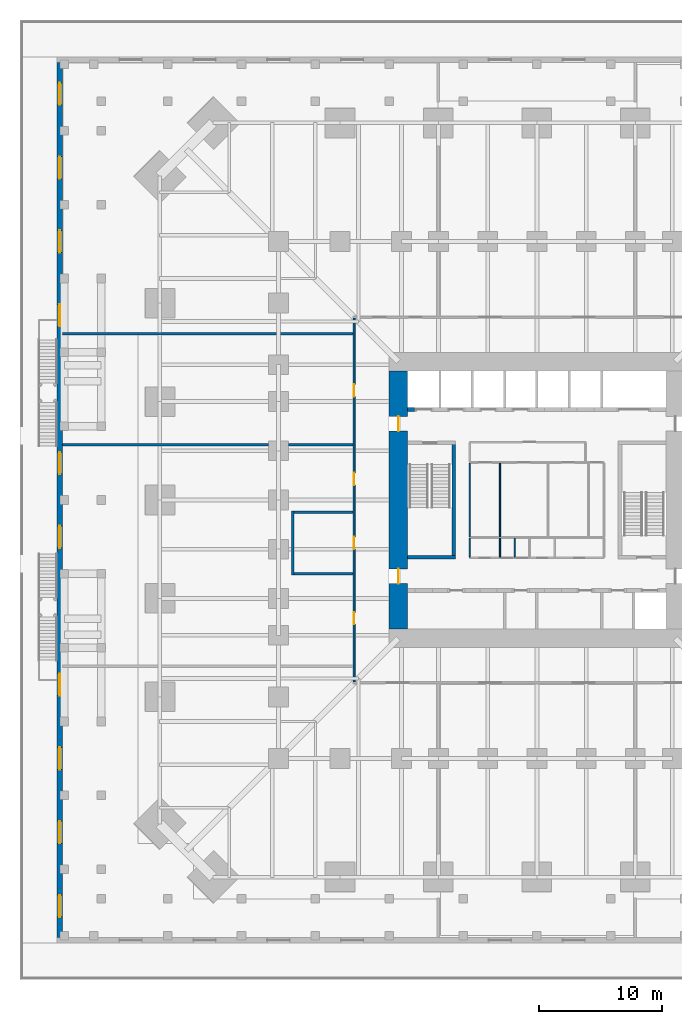
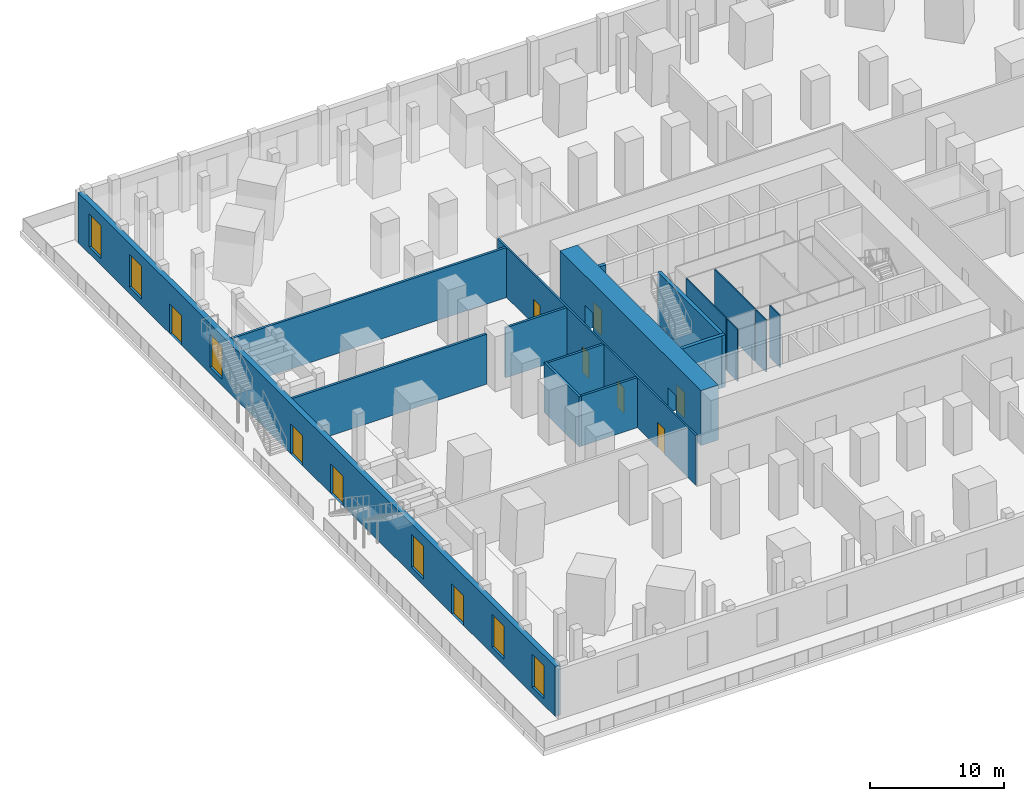
# One storey, part 12 of 22: 17 walls, 10 doors, 6 windows, 16 openings.
"""IFC4 building model written with IfcOpenShell, lengths in metres."""

from ifc_helpers import new_model, si_unit, direction, frame, frame_2d, origin, place, context, subcontext, project, spatial, rectangle, extrude, material, layer, layer_set, type_object, element, fill, save


model = new_model("IFC4")

# Units and contexts
model_context = context("Model", 3, precision=1e-05, world=origin(), true_north=direction((0.0, 1.0)))
body_context = subcontext(model_context, "Body", "Model", "MODEL_VIEW")
ifc_project = project(units=[si_unit("LENGTHUNIT", "METRE"), si_unit("AREAUNIT", "SQUARE_METRE"), si_unit("VOLUMEUNIT", "CUBIC_METRE"), si_unit("PLANEANGLEUNIT", "RADIAN"), si_unit("MASSUNIT", "GRAM", prefix="KILO")], contexts=[model_context])

# Site, building, storey
site_placement = place(None, origin())
site = spatial("IfcSite", under=ifc_project, at=site_placement, CompositionType="ELEMENT")
building_placement = place(site_placement, origin())
building = spatial("IfcBuilding", under=site, at=building_placement, Name="Peilmerk Tower", CompositionType="ELEMENT")
storey_placement = place(building_placement, frame((0.0, 0.0, 6.0)))
storey = spatial("IfcBuildingStorey", under=building, at=storey_placement, Name="L01", CompositionType="ELEMENT", Elevation=6.0)

# Wall, openings, doors, windows
ifc_material_1 = material(Name="Precast concrete C45/55, board-marked finish", Category="concrete")
ifc_layer_1 = layer(ifc_material_1, 0.449951171875)
ifc_layer_set_1 = layer_set([ifc_layer_1], Name="Precast concrete C45/55, board-marked finish")
wall_type_1 = type_object("IfcWallType", Name="EW1 450 precast concrete facade wall, board-marked", PredefinedType="SOLIDWALL", material=ifc_layer_set_1)
wall_1_placement = place(storey_placement, frame((-38.77490234375, -35.550048828125, 0.0), z_axis=(0.0, 0.0, 1.0), x_axis=(0.0, 1.0, 0.0)))
wall_1 = element("IfcWall", 1, at=wall_1_placement, inside=storey, type_object=wall_type_1, Name="Facade wall W L01", PredefinedType="SOLIDWALL", context=body_context, shape_type="SweptSolid", body=[
    extrude(rectangle(XDim=71.10009765625, YDim=0.449951171875, at=frame_2d((35.550048828125, 0.0))), origin(), (0.0, 0.0, 1.0), 4.550048828125),
])
opening_1_placement = place(wall_1_placement, frame((1.64990234375, 0.0, 0.60009765625)))
opening_1 = element("IfcOpeningElement", 2, at=opening_1_placement, cuts=wall_1, Name="Opening W7", PredefinedType="OPENING", context=body_context, shape_type="SweptSolid", body=[
    extrude(rectangle(XDim=1.800048828125, YDim=3.0, at=frame_2d((0.89990234375, 1.5))), frame((0.0, 0.23486328125, 0.0), z_axis=(0.0, -1.0, 0.0), x_axis=(1.0, 0.0, 0.0)), (0.0, 0.0, 1.0), 0.469970703125),
])
opening_2_placement = place(wall_1_placement, frame((7.64990234375, 0.0, 0.60009765625)))
opening_2 = element("IfcOpeningElement", 3, at=opening_2_placement, cuts=wall_1, Name="Opening W7", PredefinedType="OPENING", context=body_context, shape_type="SweptSolid", body=[
    extrude(rectangle(XDim=1.800048828125, YDim=3.0, at=frame_2d((0.89990234375, 1.5))), frame((0.0, 0.23486328125, 0.0), z_axis=(0.0, -1.0, 0.0), x_axis=(1.0, 0.0, 0.0)), (0.0, 0.0, 1.0), 0.469970703125),
])
opening_3_placement = place(wall_1_placement, frame((19.64990234375, 0.0, 0.60009765625)))
opening_3 = element("IfcOpeningElement", 4, at=opening_3_placement, cuts=wall_1, Name="Opening W7", PredefinedType="OPENING", context=body_context, shape_type="SweptSolid", body=[
    extrude(rectangle(XDim=1.800048828125, YDim=3.0, at=frame_2d((0.89990234375, 1.5))), frame((0.0, 0.23486328125, 0.0), z_axis=(0.0, -1.0, 0.0), x_axis=(1.0, 0.0, 0.0)), (0.0, 0.0, 1.0), 0.469970703125),
])
opening_4_placement = place(wall_1_placement, frame((49.64990234375, 0.0, 0.60009765625)))
opening_4 = element("IfcOpeningElement", 5, at=opening_4_placement, cuts=wall_1, Name="Opening W7", PredefinedType="OPENING", context=body_context, shape_type="SweptSolid", body=[
    extrude(rectangle(XDim=1.800048828125, YDim=3.0, at=frame_2d((0.89990234375, 1.5))), frame((0.0, 0.23486328125, 0.0), z_axis=(0.0, -1.0, 0.0), x_axis=(1.0, 0.0, 0.0)), (0.0, 0.0, 1.0), 0.469970703125),
])
opening_5_placement = place(wall_1_placement, frame((61.64990234375, 0.0, 0.60009765625)))
opening_5 = element("IfcOpeningElement", 6, at=opening_5_placement, cuts=wall_1, Name="Opening W7", PredefinedType="OPENING", context=body_context, shape_type="SweptSolid", body=[
    extrude(rectangle(XDim=1.800048828125, YDim=3.0, at=frame_2d((0.89990234375, 1.5))), frame((0.0, 0.23486328125, 0.0), z_axis=(0.0, -1.0, 0.0), x_axis=(1.0, 0.0, 0.0)), (0.0, 0.0, 1.0), 0.469970703125),
])
opening_6_placement = place(wall_1_placement, frame((67.64990234375, 0.0, 0.60009765625)))
opening_6 = element("IfcOpeningElement", 7, at=opening_6_placement, cuts=wall_1, Name="Opening W7", PredefinedType="OPENING", context=body_context, shape_type="SweptSolid", body=[
    extrude(rectangle(XDim=1.800048828125, YDim=3.0, at=frame_2d((0.89990234375, 1.5))), frame((0.0, 0.23486328125, 0.0), z_axis=(0.0, -1.0, 0.0), x_axis=(1.0, 0.0, 0.0)), (0.0, 0.0, 1.0), 0.469970703125),
])
opening_7_placement = place(wall_1_placement, frame((13.64990234375, 0.0, 0.0)))
opening_7 = element("IfcOpeningElement", 8, at=opening_7_placement, cuts=wall_1, Name="Opening ED4", PredefinedType="OPENING", context=body_context, shape_type="SweptSolid", body=[
    extrude(rectangle(XDim=1.800048828125, YDim=2.699951171875, at=frame_2d((0.89990234375, 1.35009765625))), frame((0.0, 0.23486328125, 0.0), z_axis=(0.0, -1.0, 0.0), x_axis=(1.0, 0.0, 0.0)), (0.0, 0.0, 1.0), 0.469970703125),
])
opening_8_placement = place(wall_1_placement, frame((31.64990234375, 0.0, 0.0)))
opening_8 = element("IfcOpeningElement", 9, at=opening_8_placement, cuts=wall_1, Name="Opening ED4", PredefinedType="OPENING", context=body_context, shape_type="SweptSolid", body=[
    extrude(rectangle(XDim=1.800048828125, YDim=2.699951171875, at=frame_2d((0.89990234375, 1.35009765625))), frame((0.0, 0.23486328125, 0.0), z_axis=(0.0, -1.0, 0.0), x_axis=(1.0, 0.0, 0.0)), (0.0, 0.0, 1.0), 0.469970703125),
])
opening_9_placement = place(wall_1_placement, frame((37.64990234375, 0.0, 0.0)))
opening_9 = element("IfcOpeningElement", 10, at=opening_9_placement, cuts=wall_1, Name="Opening ED4", PredefinedType="OPENING", context=body_context, shape_type="SweptSolid", body=[
    extrude(rectangle(XDim=1.800048828125, YDim=2.699951171875, at=frame_2d((0.89990234375, 1.35009765625))), frame((0.0, 0.23486328125, 0.0), z_axis=(0.0, -1.0, 0.0), x_axis=(1.0, 0.0, 0.0)), (0.0, 0.0, 1.0), 0.469970703125),
])
opening_10_placement = place(wall_1_placement, frame((55.64990234375, 0.0, 0.0)))
opening_10 = element("IfcOpeningElement", 11, at=opening_10_placement, cuts=wall_1, Name="Opening ED4", PredefinedType="OPENING", context=body_context, shape_type="SweptSolid", body=[
    extrude(rectangle(XDim=1.800048828125, YDim=2.699951171875, at=frame_2d((0.89990234375, 1.35009765625))), frame((0.0, 0.23486328125, 0.0), z_axis=(0.0, -1.0, 0.0), x_axis=(1.0, 0.0, 0.0)), (0.0, 0.0, 1.0), 0.469970703125),
])
ifc_material_2 = material(Name="Aluminium frame, clear glazing", Category="aluminium")
door_type_1 = type_object("IfcDoorType", Name="ED4 1800x2700 terrace door pair, glazed", OperationType="DOUBLE_DOOR_DOUBLE_SWING", PredefinedType="DOOR", material=ifc_material_2)
door_1_placement = place(opening_7_placement, origin())
door_1 = element("IfcDoor", 12, at=door_1_placement, inside=storey, type_object=door_type_1, Name="Terrace door pair, glazed L01", OperationType="DOUBLE_DOOR_DOUBLE_SWING", OverallHeight=2.699951171875, OverallWidth=1.800048828125, PredefinedType="DOOR", context=body_context, shape_type="SweptSolid", body=[
    extrude(rectangle(XDim=1.800048828125, YDim=2.699951171875, at=frame_2d((0.89990234375, 1.35009765625))), frame((0.0, 0.02490234375, 0.0), z_axis=(0.0, -1.0, 0.0), x_axis=(1.0, 0.0, 0.0)), (0.0, 0.0, 1.0), 0.050048828125),
])
fill(opening_7, door_1)
door_2_placement = place(opening_8_placement, origin())
door_2 = element("IfcDoor", 13, at=door_2_placement, inside=storey, type_object=door_type_1, Name="Terrace door pair, glazed L01", OperationType="DOUBLE_DOOR_DOUBLE_SWING", OverallHeight=2.699951171875, OverallWidth=1.800048828125, PredefinedType="DOOR", context=body_context, shape_type="SweptSolid", body=[
    extrude(rectangle(XDim=1.800048828125, YDim=2.699951171875, at=frame_2d((0.89990234375, 1.35009765625))), frame((0.0, 0.02490234375, 0.0), z_axis=(0.0, -1.0, 0.0), x_axis=(1.0, 0.0, 0.0)), (0.0, 0.0, 1.0), 0.050048828125),
])
fill(opening_8, door_2)
door_3_placement = place(opening_9_placement, origin())
door_3 = element("IfcDoor", 14, at=door_3_placement, inside=storey, type_object=door_type_1, Name="Terrace door pair, glazed L01", OperationType="DOUBLE_DOOR_DOUBLE_SWING", OverallHeight=2.699951171875, OverallWidth=1.800048828125, PredefinedType="DOOR", context=body_context, shape_type="SweptSolid", body=[
    extrude(rectangle(XDim=1.800048828125, YDim=2.699951171875, at=frame_2d((0.89990234375, 1.35009765625))), frame((0.0, 0.02490234375, 0.0), z_axis=(0.0, -1.0, 0.0), x_axis=(1.0, 0.0, 0.0)), (0.0, 0.0, 1.0), 0.050048828125),
])
fill(opening_9, door_3)
door_4_placement = place(opening_10_placement, origin())
door_4 = element("IfcDoor", 15, at=door_4_placement, inside=storey, type_object=door_type_1, Name="Terrace door pair, glazed L01", OperationType="DOUBLE_DOOR_DOUBLE_SWING", OverallHeight=2.699951171875, OverallWidth=1.800048828125, PredefinedType="DOOR", context=body_context, shape_type="SweptSolid", body=[
    extrude(rectangle(XDim=1.800048828125, YDim=2.699951171875, at=frame_2d((0.89990234375, 1.35009765625))), frame((0.0, 0.02490234375, 0.0), z_axis=(0.0, -1.0, 0.0), x_axis=(1.0, 0.0, 0.0)), (0.0, 0.0, 1.0), 0.050048828125),
])
fill(opening_10, door_4)
ifc_material_3 = material(Name="Aluminium frame, clear double glazing", Category="aluminium")
window_type = type_object("IfcWindowType", Name="W7 1800x3000 podium window", PartitioningType="SINGLE_PANEL", PredefinedType="WINDOW", material=ifc_material_3)
window_1_placement = place(opening_1_placement, origin())
window_1 = element("IfcWindow", 16, at=window_1_placement, inside=storey, type_object=window_type, Name="Window W7 L01", OverallHeight=3.0, OverallWidth=1.800048828125, PartitioningType="SINGLE_PANEL", PredefinedType="WINDOW", context=body_context, shape_type="SweptSolid", body=[
    extrude(rectangle(XDim=1.800048828125, YDim=3.0, at=frame_2d((0.89990234375, 1.5))), frame((0.0, 0.030029296875, 0.0), z_axis=(0.0, -1.0, 0.0), x_axis=(1.0, 0.0, 0.0)), (0.0, 0.0, 1.0), 0.06005859375),
])
fill(opening_1, window_1)
window_2_placement = place(opening_2_placement, origin())
window_2 = element("IfcWindow", 17, at=window_2_placement, inside=storey, type_object=window_type, Name="Window W7 L01", OverallHeight=3.0, OverallWidth=1.800048828125, PartitioningType="SINGLE_PANEL", PredefinedType="WINDOW", context=body_context, shape_type="SweptSolid", body=[
    extrude(rectangle(XDim=1.800048828125, YDim=3.0, at=frame_2d((0.89990234375, 1.5))), frame((0.0, 0.030029296875, 0.0), z_axis=(0.0, -1.0, 0.0), x_axis=(1.0, 0.0, 0.0)), (0.0, 0.0, 1.0), 0.06005859375),
])
fill(opening_2, window_2)
window_3_placement = place(opening_3_placement, origin())
window_3 = element("IfcWindow", 18, at=window_3_placement, inside=storey, type_object=window_type, Name="Window W7 L01", OverallHeight=3.0, OverallWidth=1.800048828125, PartitioningType="SINGLE_PANEL", PredefinedType="WINDOW", context=body_context, shape_type="SweptSolid", body=[
    extrude(rectangle(XDim=1.800048828125, YDim=3.0, at=frame_2d((0.89990234375, 1.5))), frame((0.0, 0.030029296875, 0.0), z_axis=(0.0, -1.0, 0.0), x_axis=(1.0, 0.0, 0.0)), (0.0, 0.0, 1.0), 0.06005859375),
])
fill(opening_3, window_3)
window_4_placement = place(opening_4_placement, origin())
window_4 = element("IfcWindow", 19, at=window_4_placement, inside=storey, type_object=window_type, Name="Window W7 L01", OverallHeight=3.0, OverallWidth=1.800048828125, PartitioningType="SINGLE_PANEL", PredefinedType="WINDOW", context=body_context, shape_type="SweptSolid", body=[
    extrude(rectangle(XDim=1.800048828125, YDim=3.0, at=frame_2d((0.89990234375, 1.5))), frame((0.0, 0.030029296875, 0.0), z_axis=(0.0, -1.0, 0.0), x_axis=(1.0, 0.0, 0.0)), (0.0, 0.0, 1.0), 0.06005859375),
])
fill(opening_4, window_4)
window_5_placement = place(opening_5_placement, origin())
window_5 = element("IfcWindow", 20, at=window_5_placement, inside=storey, type_object=window_type, Name="Window W7 L01", OverallHeight=3.0, OverallWidth=1.800048828125, PartitioningType="SINGLE_PANEL", PredefinedType="WINDOW", context=body_context, shape_type="SweptSolid", body=[
    extrude(rectangle(XDim=1.800048828125, YDim=3.0, at=frame_2d((0.89990234375, 1.5))), frame((0.0, 0.030029296875, 0.0), z_axis=(0.0, -1.0, 0.0), x_axis=(1.0, 0.0, 0.0)), (0.0, 0.0, 1.0), 0.06005859375),
])
fill(opening_5, window_5)
window_6_placement = place(opening_6_placement, origin())
window_6 = element("IfcWindow", 21, at=window_6_placement, inside=storey, type_object=window_type, Name="Window W7 L01", OverallHeight=3.0, OverallWidth=1.800048828125, PartitioningType="SINGLE_PANEL", PredefinedType="WINDOW", context=body_context, shape_type="SweptSolid", body=[
    extrude(rectangle(XDim=1.800048828125, YDim=3.0, at=frame_2d((0.89990234375, 1.5))), frame((0.0, 0.030029296875, 0.0), z_axis=(0.0, -1.0, 0.0), x_axis=(1.0, 0.0, 0.0)), (0.0, 0.0, 1.0), 0.06005859375),
])
fill(opening_6, window_6)

# Wall, openings, doors
ifc_material_4 = material(Name="Calcium silicate block", Category="masonry")
ifc_layer_2 = layer(ifc_material_4, 0.14990234375)
ifc_layer_set_2 = layer_set([ifc_layer_2], Name="Calcium silicate block")
wall_type_2 = type_object("IfcWallType", Name="IW1 150 corridor partition, EI 60", PredefinedType="PARTITIONING", material=ifc_layer_set_2)
wall_2_placement = place(storey_placement, frame((-14.85009765625, 14.77490234375, 0.0), z_axis=(0.0, 0.0, 1.0), x_axis=(0.0, -1.0, 0.0)))
wall_2 = element("IfcWall", 22, at=wall_2_placement, inside=storey, type_object=wall_type_2, Name="Corridor wall W L01", PredefinedType="PARTITIONING", context=body_context, shape_type="SweptSolid", body=[
    extrude(rectangle(XDim=29.5498046875, YDim=0.14990234375, at=frame_2d((14.77490234375, 0.0))), origin(), (0.0, 0.0, 1.0), 4.550048828125),
])
opening_11_placement = place(wall_2_placement, frame((23.875, 0.0, 0.0)))
opening_11 = element("IfcOpeningElement", 23, at=opening_11_placement, cuts=wall_2, Name="Opening D1", PredefinedType="OPENING", context=body_context, shape_type="SweptSolid", body=[
    extrude(rectangle(XDim=1.0, YDim=2.300048828125, at=frame_2d((0.5, 1.14990234375))), frame((0.0, 0.0849609375, 0.0), z_axis=(0.0, -1.0, 0.0), x_axis=(1.0, 0.0, 0.0)), (0.0, 0.0, 1.0), 0.169921875),
])
opening_12_placement = place(wall_2_placement, frame((12.574951171875, 0.0, 0.0)))
opening_12 = element("IfcOpeningElement", 24, at=opening_12_placement, cuts=wall_2, Name="Opening D1", PredefinedType="OPENING", context=body_context, shape_type="SweptSolid", body=[
    extrude(rectangle(XDim=1.0, YDim=2.300048828125, at=frame_2d((0.5, 1.14990234375))), frame((0.0, 0.0849609375, 0.0), z_axis=(0.0, -1.0, 0.0), x_axis=(1.0, 0.0, 0.0)), (0.0, 0.0, 1.0), 0.169921875),
])
opening_13_placement = place(wall_2_placement, frame((5.375, 0.0, 0.0)))
opening_13 = element("IfcOpeningElement", 25, at=opening_13_placement, cuts=wall_2, Name="Opening D1", PredefinedType="OPENING", context=body_context, shape_type="SweptSolid", body=[
    extrude(rectangle(XDim=1.0, YDim=2.300048828125, at=frame_2d((0.5, 1.14990234375))), frame((0.0, 0.0849609375, 0.0), z_axis=(0.0, -1.0, 0.0), x_axis=(1.0, 0.0, 0.0)), (0.0, 0.0, 1.0), 0.169921875),
])
opening_14_placement = place(wall_2_placement, frame((17.77490234375, 0.0, 0.0)))
opening_14 = element("IfcOpeningElement", 26, at=opening_14_placement, cuts=wall_2, Name="Opening D1", PredefinedType="OPENING", context=body_context, shape_type="SweptSolid", body=[
    extrude(rectangle(XDim=1.0, YDim=2.300048828125, at=frame_2d((0.5, 1.14990234375))), frame((0.0, 0.0849609375, 0.0), z_axis=(0.0, -1.0, 0.0), x_axis=(1.0, 0.0, 0.0)), (0.0, 0.0, 1.0), 0.169921875),
])
ifc_material_5 = material(Name="Timber door in steel frame", Category="steel")
door_type_2 = type_object("IfcDoorType", Name="D1 1000x2300 room door, EI2 30", OperationType="SINGLE_SWING_LEFT", PredefinedType="DOOR", material=ifc_material_5)
door_5_placement = place(opening_11_placement, frame((1.0, 0.0, 0.0), z_axis=(0.0, 0.0, 1.0), x_axis=(-1.0, 0.0, 0.0)))
door_5 = element("IfcDoor", 27, at=door_5_placement, inside=storey, type_object=door_type_2, Name="Door Network operations centre L01", OperationType="SINGLE_SWING_LEFT", OverallHeight=2.300048828125, OverallWidth=1.0, PredefinedType="DOOR", context=body_context, shape_type="SweptSolid", body=[
    extrude(rectangle(XDim=1.0, YDim=2.300048828125, at=frame_2d((0.5, 1.14990234375))), frame((0.0, 0.02490234375, 0.0), z_axis=(0.0, -1.0, 0.0), x_axis=(1.0, 0.0, 0.0)), (0.0, 0.0, 1.0), 0.050048828125),
])
fill(opening_11, door_5)
door_6_placement = place(opening_12_placement, frame((1.0, 0.0, 0.0), z_axis=(0.0, 0.0, 1.0), x_axis=(-1.0, 0.0, 0.0)))
door_6 = element("IfcDoor", 28, at=door_6_placement, inside=storey, type_object=door_type_2, Name="Door Network operations centre L01", OperationType="SINGLE_SWING_LEFT", OverallHeight=2.300048828125, OverallWidth=1.0, PredefinedType="DOOR", context=body_context, shape_type="SweptSolid", body=[
    extrude(rectangle(XDim=1.0, YDim=2.300048828125, at=frame_2d((0.5, 1.14990234375))), frame((0.0, 0.02490234375, 0.0), z_axis=(0.0, -1.0, 0.0), x_axis=(1.0, 0.0, 0.0)), (0.0, 0.0, 1.0), 0.050048828125),
])
fill(opening_12, door_6)
door_7_placement = place(opening_13_placement, frame((1.0, 0.0, 0.0), z_axis=(0.0, 0.0, 1.0), x_axis=(-1.0, 0.0, 0.0)))
door_7 = element("IfcDoor", 29, at=door_7_placement, inside=storey, type_object=door_type_2, Name="Door Incident room L01", OperationType="SINGLE_SWING_LEFT", OverallHeight=2.300048828125, OverallWidth=1.0, PredefinedType="DOOR", context=body_context, shape_type="SweptSolid", body=[
    extrude(rectangle(XDim=1.0, YDim=2.300048828125, at=frame_2d((0.5, 1.14990234375))), frame((0.0, 0.02490234375, 0.0), z_axis=(0.0, -1.0, 0.0), x_axis=(1.0, 0.0, 0.0)), (0.0, 0.0, 1.0), 0.050048828125),
])
fill(opening_13, door_7)
door_8_placement = place(opening_14_placement, frame((1.0, 0.0, 0.0), z_axis=(0.0, 0.0, 1.0), x_axis=(-1.0, 0.0, 0.0)))
door_8 = element("IfcDoor", 30, at=door_8_placement, inside=storey, type_object=door_type_2, Name="Door NOC support room L01", OperationType="SINGLE_SWING_LEFT", OverallHeight=2.300048828125, OverallWidth=1.0, PredefinedType="DOOR", context=body_context, shape_type="SweptSolid", body=[
    extrude(rectangle(XDim=1.0, YDim=2.300048828125, at=frame_2d((0.5, 1.14990234375))), frame((0.0, 0.02490234375, 0.0), z_axis=(0.0, -1.0, 0.0), x_axis=(1.0, 0.0, 0.0)), (0.0, 0.0, 1.0), 0.050048828125),
])
fill(opening_14, door_8)

# Walls
ifc_layer_3 = layer(ifc_material_4, 0.199951171875)
ifc_layer_set_3 = layer_set([ifc_layer_3], Name="Calcium silicate block")
wall_type_3 = type_object("IfcWallType", Name="IW2 200 room separating wall, EI 120", PredefinedType="PARTITIONING", material=ifc_layer_set_3)
wall_3_placement = place(storey_placement, frame((-38.550048828125, 13.5, 0.0), z_axis=(0.0, 0.0, 1.0), x_axis=(1.0, 0.0, 0.0)))
element("IfcWall", 31, at=wall_3_placement, inside=storey, type_object=wall_type_3, Name="Room separating wall NW L01", PredefinedType="PARTITIONING", context=body_context, shape_type="SweptSolid", body=[
    extrude(rectangle(XDim=23.625, YDim=0.199951171875, at=frame_2d((11.8125, 0.0))), origin(), (0.0, 0.0, 1.0), 4.550048828125),
])
wall_4_placement = place(storey_placement, frame((-14.925048828125, 4.5, 0.0), z_axis=(0.0, 0.0, 1.0), x_axis=(-1.0, 0.0, 0.0)))
element("IfcWall", 32, at=wall_4_placement, inside=storey, type_object=wall_type_3, Name="Room separating wall W1 L01", PredefinedType="PARTITIONING", context=body_context, shape_type="SweptSolid", body=[
    extrude(rectangle(XDim=5.27490234375, YDim=0.199951171875, at=frame_2d((2.637451171875, 0.0))), origin(), (0.0, 0.0, 1.0), 4.550048828125),
])
wall_5_placement = place(storey_placement, frame((-21.800048828125, 4.5, 0.0), z_axis=(0.0, 0.0, 1.0), x_axis=(-1.0, 0.0, 0.0)))
element("IfcWall", 33, at=wall_5_placement, inside=storey, type_object=wall_type_3, Name="Room separating wall W1b L01", PredefinedType="PARTITIONING", context=body_context, shape_type="SweptSolid", body=[
    extrude(rectangle(XDim=16.75, YDim=0.199951171875, at=frame_2d((8.375, 0.0))), origin(), (0.0, 0.0, 1.0), 4.550048828125),
])
wall_6_placement = place(storey_placement, frame((-19.85009765625, -6.10009765625, 0.0), z_axis=(0.0, 0.0, 1.0), x_axis=(0.0, 1.0, 0.0)))
element("IfcWall", 34, at=wall_6_placement, inside=storey, type_object=wall_type_3, Name="Room separating wall NOC support room L01", PredefinedType="PARTITIONING", context=body_context, shape_type="SweptSolid", body=[
    extrude(rectangle(XDim=5.2001953125, YDim=0.199951171875, at=frame_2d((2.60009765625, 0.0))), origin(), (0.0, 0.0, 1.0), 4.550048828125),
])
for number, where, z_axis, x_axis, name in (
    (35, (-14.925048828125, -6.0, 0.0), (0.0, 0.0, 1.0), (-1.0, 0.0, 0.0), "Room separating wall NOC support room L01"),
    (36, (-14.925048828125, -1.0, 0.0), (0.0, 0.0, 1.0), (-1.0, 0.0, 0.0), "Room separating wall NOC support room L01"),
):
    element("IfcWall", number, at=place(storey_placement, frame(where, z_axis=z_axis, x_axis=x_axis)), inside=storey, type_object=wall_type_3, Name=name, PredefinedType="PARTITIONING", context=body_context, shape_type="SweptSolid", body=[
        extrude(rectangle(XDim=4.824951171875, YDim=0.199951171875, at=frame_2d((2.41259765625, 0.0))), origin(), (0.0, 0.0, 1.0), 4.550048828125),
    ])
ifc_material_6 = material(Name="Concrete C35/45", Category="concrete")
ifc_layer_4 = layer(ifc_material_6, 0.300048828125)
ifc_layer_set_4 = layer_set([ifc_layer_4], Name="Concrete C35/45")
wall_type_4 = type_object("IfcWallType", Name="IW3 300 concrete stair enclosure wall, EI 120", PredefinedType="SOLIDWALL", material=ifc_layer_set_4)
wall_7_placement = place(storey_placement, frame((-6.75, -4.800048828125, 0.0), z_axis=(0.0, 0.0, 1.0), x_axis=(0.0, 1.0, 0.0)))
element("IfcWall", 37, at=wall_7_placement, inside=storey, type_object=wall_type_4, Name="Stair 1 enclosure L01", PredefinedType="SOLIDWALL", context=body_context, shape_type="SweptSolid", body=[
    extrude(rectangle(XDim=9.60009765625, YDim=0.300048828125, at=frame_2d((4.800048828125, 0.0))), origin(), (0.0, 0.0, 1.0), 4.75),
])
wall_8_placement = place(storey_placement, frame((-6.60009765625, -4.64990234375, 0.0), z_axis=(0.0, 0.0, 1.0), x_axis=(-1.0, 0.0, 0.0)))
element("IfcWall", 38, at=wall_8_placement, inside=storey, type_object=wall_type_4, Name="Stair 1 enclosure L01", PredefinedType="SOLIDWALL", context=body_context, shape_type="SweptSolid", body=[
    extrude(rectangle(XDim=3.89990234375, YDim=0.300048828125, at=frame_2d((1.949951171875, 0.0))), origin(), (0.0, 0.0, 1.0), 4.75),
])
ifc_material_7 = material(Name="Plasterboard on steel studs", Category="steel")
ifc_layer_5 = layer(ifc_material_7, 0.10009765625)
ifc_layer_set_5 = layer_set([ifc_layer_5], Name="Plasterboard on steel studs")
wall_type_5 = type_object("IfcWallType", Name="IW4 100 WC partition", PredefinedType="PARTITIONING", material=ifc_layer_set_5)
for number, where, z_axis, x_axis, name in (
    (39, (-5.449951171875, -3.0, 0.0), (0.0, 0.0, 1.0), (0.0, 1.0, 0.0), "WC wall L01"),
    (40, (-3.0, -3.0, 0.0), (0.0, 0.0, 1.0), (0.0, 1.0, 0.0), "WC wall L01"),
):
    element("IfcWall", number, at=place(storey_placement, frame(where, z_axis=z_axis, x_axis=x_axis)), inside=storey, type_object=wall_type_5, Name=name, PredefinedType="PARTITIONING", context=body_context, shape_type="SweptSolid", body=[
        extrude(rectangle(XDim=6.0, YDim=0.10009765625, at=frame_2d((3.0, 0.0))), origin(), (0.0, 0.0, 1.0), 4.75),
    ])
ifc_material_8 = material(Name="Calcium silicate board on steel studs", Category="steel")
ifc_layer_6 = layer(ifc_material_8, 0.10009765625)
ifc_layer_set_6 = layer_set([ifc_layer_6], Name="Calcium silicate board on steel studs")
wall_type_6 = type_object("IfcWallType", Name="IW5 100 riser enclosure wall, EI 60", PredefinedType="PARTITIONING", material=ifc_layer_set_6)
for number, where, z_axis, x_axis, name in (
    (41, (-5.449951171875, -3.10009765625, 0.0), (0.0, 0.0, 1.0), (0.0, -1.0, 0.0), "Riser wall L01"),
    (42, (-3.0, -3.10009765625, 0.0), (0.0, 0.0, 1.0), (0.0, -1.0, 0.0), "Riser wall L01"),
    (43, (-1.800048828125, -3.10009765625, 0.0), (0.0, 0.0, 1.0), (0.0, -1.0, 0.0), "Riser wall L01"),
):
    element("IfcWall", number, at=place(storey_placement, frame(where, z_axis=z_axis, x_axis=x_axis)), inside=storey, type_object=wall_type_6, Name=name, PredefinedType="PARTITIONING", context=body_context, shape_type="SweptSolid", body=[
        extrude(rectangle(XDim=1.5498046875, YDim=0.10009765625, at=frame_2d((0.77490234375, 0.0))), origin(), (0.0, 0.0, 1.0), 4.75),
    ])

# Wall, openings, doors
ifc_material_9 = material(Name="Concrete C55/67", Category="concrete")
ifc_layer_7 = layer(ifc_material_9, 1.5)
ifc_layer_set_7 = layer_set([ifc_layer_7], Name="Concrete C55/67")
wall_type_7 = type_object("IfcWallType", Name="SW1 1500 core wall", PredefinedType="SHEAR", material=ifc_layer_set_7)
wall_9_placement = place(storey_placement, frame((-11.25, -10.5, 0.0), z_axis=(0.0, 0.0, 1.0), x_axis=(0.0, 1.0, 0.0)))
wall_9 = element("IfcWall", 44, at=wall_9_placement, inside=storey, type_object=wall_type_7, Name="Core wall W L01", PredefinedType="SHEAR", context=body_context, shape_type="SweptSolid", body=[
    extrude(rectangle(XDim=21.0, YDim=1.5, at=frame_2d((10.5, 0.0))), origin(), (0.0, 0.0, 1.0), 5.0),
])
opening_15_placement = place(wall_9_placement, frame((16.10009765625, 0.0, 0.0)))
opening_15 = element("IfcOpeningElement", 45, at=opening_15_placement, cuts=wall_9, Name="Opening D3", PredefinedType="OPENING", context=body_context, shape_type="SweptSolid", body=[
    extrude(rectangle(XDim=1.199951171875, YDim=2.300048828125, at=frame_2d((0.60009765625, 1.14990234375))), frame((0.0, 0.760009765625, 0.0), z_axis=(0.0, -1.0, 0.0), x_axis=(1.0, 0.0, 0.0)), (0.0, 0.0, 1.0), 1.52001953125),
])
opening_16_placement = place(wall_9_placement, frame((3.699951171875, 0.0, 0.0)))
opening_16 = element("IfcOpeningElement", 46, at=opening_16_placement, cuts=wall_9, Name="Opening D3", PredefinedType="OPENING", context=body_context, shape_type="SweptSolid", body=[
    extrude(rectangle(XDim=1.199951171875, YDim=2.300048828125, at=frame_2d((0.60009765625, 1.14990234375))), frame((0.0, 0.760009765625, 0.0), z_axis=(0.0, -1.0, 0.0), x_axis=(1.0, 0.0, 0.0)), (0.0, 0.0, 1.0), 1.52001953125),
])
ifc_material_10 = material(Name="Steel door in steel frame", Category="steel")
door_type_3 = type_object("IfcDoorType", Name="D3 1200x2300 core door, EI2 60", OperationType="SINGLE_SWING_LEFT", PredefinedType="DOOR", material=ifc_material_10)
door_9_placement = place(opening_15_placement, frame((1.199951171875, 0.0, 0.0), z_axis=(0.0, 0.0, 1.0), x_axis=(-1.0, 0.0, 0.0)))
door_9 = element("IfcDoor", 47, at=door_9_placement, inside=storey, type_object=door_type_3, Name="Core door L01", OperationType="SINGLE_SWING_LEFT", OverallHeight=2.300048828125, OverallWidth=1.199951171875, PredefinedType="DOOR", context=body_context, shape_type="SweptSolid", body=[
    extrude(rectangle(XDim=1.199951171875, YDim=2.300048828125, at=frame_2d((0.60009765625, 1.14990234375))), frame((0.0, 0.02490234375, 0.0), z_axis=(0.0, -1.0, 0.0), x_axis=(1.0, 0.0, 0.0)), (0.0, 0.0, 1.0), 0.050048828125),
])
fill(opening_15, door_9)
door_10_placement = place(opening_16_placement, frame((1.199951171875, 0.0, 0.0), z_axis=(0.0, 0.0, 1.0), x_axis=(-1.0, 0.0, 0.0)))
door_10 = element("IfcDoor", 48, at=door_10_placement, inside=storey, type_object=door_type_3, Name="Core door L01", OperationType="SINGLE_SWING_LEFT", OverallHeight=2.300048828125, OverallWidth=1.199951171875, PredefinedType="DOOR", context=body_context, shape_type="SweptSolid", body=[
    extrude(rectangle(XDim=1.199951171875, YDim=2.300048828125, at=frame_2d((0.60009765625, 1.14990234375))), frame((0.0, 0.02490234375, 0.0), z_axis=(0.0, -1.0, 0.0), x_axis=(1.0, 0.0, 0.0)), (0.0, 0.0, 1.0), 0.050048828125),
])
fill(opening_16, door_10)

# Wall
ifc_layer_8 = layer(ifc_material_9, 0.300048828125)
ifc_layer_set_8 = layer_set([ifc_layer_8], Name="Concrete C55/67")
wall_type_8 = type_object("IfcWallType", Name="SW2 300 lift bank pier", PredefinedType="SHEAR", material=ifc_layer_set_8)
wall_10_placement = place(storey_placement, frame((-10.5, 7.35009765625, 0.0), z_axis=(0.0, 0.0, 1.0), x_axis=(1.0, 0.0, 0.0)))
element("IfcWall", 49, at=wall_10_placement, inside=storey, type_object=wall_type_8, Name="Lift bank pier N L01", PredefinedType="SHEAR", context=body_context, shape_type="SweptSolid", body=[
    extrude(rectangle(XDim=0.5625, YDim=0.300048828125, at=frame_2d((0.28125, 0.0))), origin(), (0.0, 0.0, 1.0), 5.0),
])

save(model, "model.ifc")
